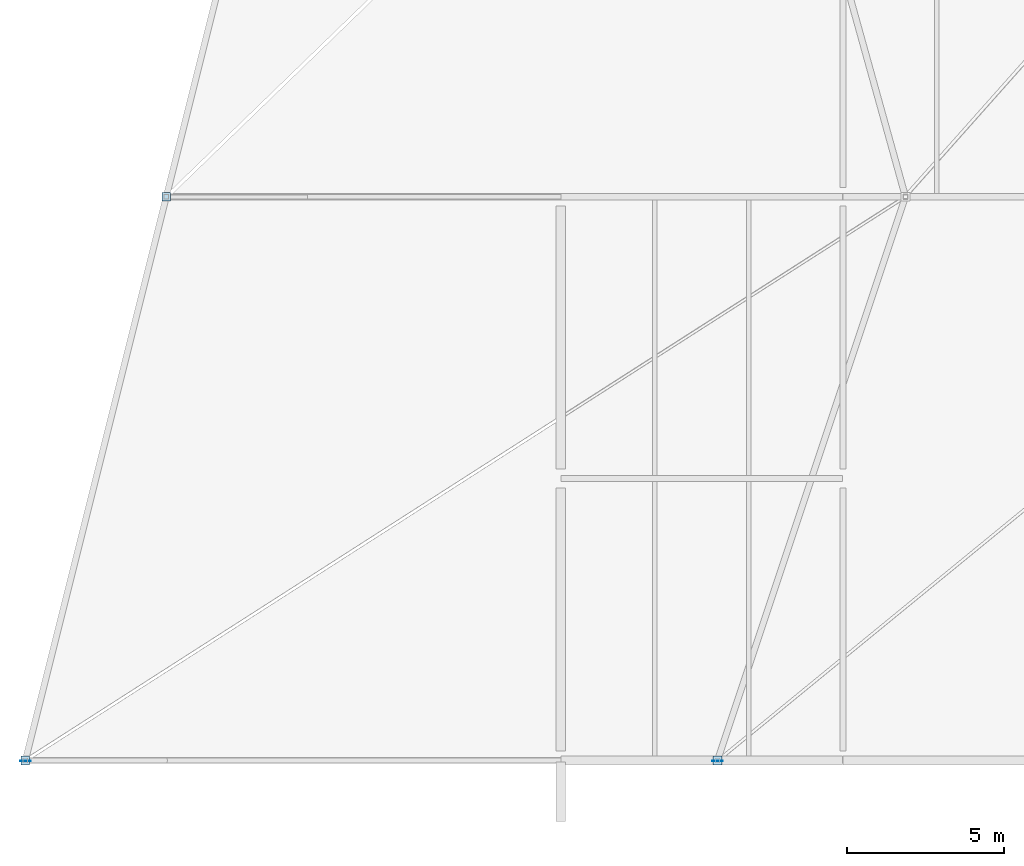
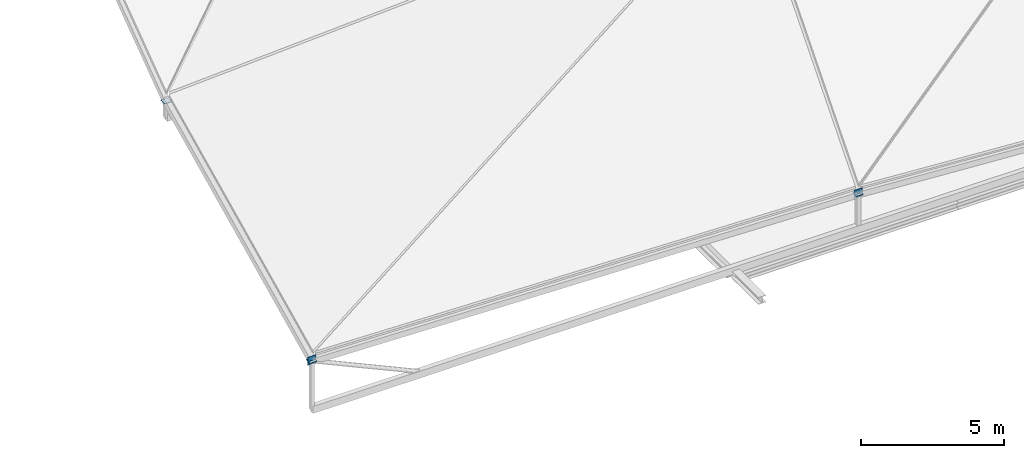
# One storey, part 15 of 18: 5 plates.
"""IFC4 building model written with IfcOpenShell, lengths in metres."""

import ifcopenshell
import ifcopenshell.guid

model = None  # the IFC model being written
_history = None  # IfcOwnerHistory: only IFC2X3 demands one
_inside = {}  # id of a spatial element -> (the spatial element, [elements in it])
_under = {}  # id of a project, library or spatial element -> (it, [spatial elements below it])
_declared = {}  # id of a project -> (the project, [libraries it declares])
_typed = {}  # id of a type object -> (the type object, [elements of that type])
_made_of = {}  # id of a material, layer set ... -> (it, [elements and type objects made of it])


def new_model(schema):
    """Start an empty IFC model of exactly this schema.

    Asked for "IFC4X3", IfcOpenShell would pick the latest addendum, in which some entities
    have other attributes; the version numbers below select the first issue.
    IFC2X3 requires an IfcOwnerHistory on every rooted entity: one is made here for all.
    """
    global model, _history
    if schema == "IFC4X3":
        model = ifcopenshell.file(schema_version=(4, 3, 0, 0))
    else:
        model = ifcopenshell.file(schema=schema)
    _inside.clear()
    _under.clear()
    _declared.clear()
    _typed.clear()
    _made_of.clear()
    _history = None
    if model.schema == "IFC2X3":
        org = make("IfcOrganization", Name="unknown")
        user = make(
            "IfcPersonAndOrganization",
            ThePerson=make("IfcPerson", FamilyName="unknown"),
            TheOrganization=org,
        )
        app = make(
            "IfcApplication",
            ApplicationDeveloper=org,
            Version="unknown",
            ApplicationFullName="unknown",
            ApplicationIdentifier="unknown",
        )
        _history = make(
            "IfcOwnerHistory",
            OwningUser=user,
            OwningApplication=app,
            ChangeAction="ADDED",
            CreationDate=0,
        )
    return model


def make(cls, **values):
    """One entity of the class cls with the attributes given. An attribute that is None is left unset."""
    return model.create_entity(
        cls, **{name: value for name, value in values.items() if value is not None}
    )


def rooted(cls, **values):
    """An entity with a GlobalId (a new one), such as an element, a storey or a relation."""
    return make(cls, GlobalId=ifcopenshell.guid.new(), OwnerHistory=_history, **values)


def si_unit(unit_type, name, prefix=None):
    """IfcSIUnit, for example si_unit("LENGTHUNIT", "METRE", prefix="MILLI")."""
    return make("IfcSIUnit", UnitType=unit_type, Prefix=prefix, Name=name)


def assignment(units):
    """IfcUnitAssignment: the units of a project."""
    return None if units is None else make("IfcUnitAssignment", Units=units)


def point(xyz):
    """IfcCartesianPoint."""
    return None if xyz is None else make("IfcCartesianPoint", Coordinates=xyz)


def direction(xyz):
    """IfcDirection."""
    return None if xyz is None else make("IfcDirection", DirectionRatios=xyz)


def frame(location, z_axis=None, x_axis=None):
    """IfcAxis2Placement3D, a coordinate frame: its origin and axes. An axis left out is left unset."""
    return make(
        "IfcAxis2Placement3D",
        Location=point(location),
        Axis=direction(z_axis),
        RefDirection=direction(x_axis),
    )


def frame_2d(location, x_axis=None):
    """IfcAxis2Placement2D, a coordinate frame in the plane: its origin and x axis."""
    return make(
        "IfcAxis2Placement2D", Location=point(location), RefDirection=direction(x_axis)
    )


def origin():
    """The frame at (0, 0, 0) with its axes left unset."""
    return frame((0.0, 0.0, 0.0))


def origin_2d():
    """The frame at (0, 0) in the plane with its x axis left unset."""
    return frame_2d((0.0, 0.0))


def place(relative_to, where):
    """IfcLocalPlacement: puts the frame where relative to a parent placement (None: the world)."""
    return make(
        "IfcLocalPlacement", PlacementRelTo=relative_to, RelativePlacement=where
    )


def context(
    kind, dimensions, precision=None, world=None, true_north=None, identifier=None
):
    """IfcGeometricRepresentationContext, for example the 3D "Model" context."""
    return make(
        "IfcGeometricRepresentationContext",
        ContextIdentifier=identifier,
        ContextType=kind,
        CoordinateSpaceDimension=dimensions,
        Precision=precision,
        WorldCoordinateSystem=world,
        TrueNorth=true_north,
    )


def subcontext(parent, identifier, kind, view, scale=None):
    """IfcGeometricRepresentationSubContext, for example "Body" below "Model"."""
    return make(
        "IfcGeometricRepresentationSubContext",
        ContextIdentifier=identifier,
        ContextType=kind,
        ParentContext=parent,
        TargetScale=scale,
        TargetView=view,
    )


def project(units=None, contexts=None):
    """IfcProject with its units and contexts."""
    return rooted(
        "IfcProject",
        Name="project",
        RepresentationContexts=contexts,
        UnitsInContext=assignment(units),
    )


def spatial(cls, under=None, at=None, **own):
    """A site, building, storey or space (cls), placed at a placement, below another one or the project."""
    s = rooted(cls, ObjectPlacement=at, **own)
    if under is not None:
        _under.setdefault(under.id(), (under, []))[1].append(s)
    return s


def profile(cls, at=None, kind="AREA", **sizes):
    """A parametric profile (cls). Its sizes go by their IFC names, for example OverallWidth=200.0."""
    return make(cls, ProfileType=kind, Position=at, **sizes)


def rectangle(**sizes):
    """IfcRectangleProfileDef."""
    return profile("IfcRectangleProfileDef", **sizes)


def extrude(swept, where, along, depth):
    """IfcExtrudedAreaSolid: the profile swept, set in the frame where, extruded along a direction by depth."""
    return make(
        "IfcExtrudedAreaSolid",
        SweptArea=swept,
        Position=where,
        ExtrudedDirection=direction(along),
        Depth=depth,
    )


def shape(context_of_items, identifier, shape_type, items):
    """IfcShapeRepresentation: the items that make up one representation, for example the "Body"."""
    return make(
        "IfcShapeRepresentation",
        ContextOfItems=context_of_items,
        RepresentationIdentifier=identifier,
        RepresentationType=shape_type,
        Items=items,
    )


def material(Name=None, Category=None):
    """IfcMaterial."""
    return make("IfcMaterial", Name=Name, Category=Category)


def layer(
    of_material, thickness, ventilated=None, Name=None, Category=None, Priority=None
):
    """IfcMaterialLayer: one layer of a wall or slab, of a material (None: an air gap)."""
    return make(
        "IfcMaterialLayer",
        Material=of_material,
        LayerThickness=thickness,
        IsVentilated=ventilated,
        Name=Name,
        Category=Category,
        Priority=Priority,
    )


def layer_set(layers, Name=None):
    """IfcMaterialLayerSet."""
    return make("IfcMaterialLayerSet", MaterialLayers=layers, LayerSetName=Name)


def made_of(thing, what):
    """Note that an element or type object is made of a material, layer set ...; save() writes the relation."""
    if what is not None:
        _made_of.setdefault(what.id(), (what, []))[1].append(thing)
    return thing


def type_object(cls, material=None, **own):
    """A type object (cls), such as IfcWallType, which elements share."""
    return made_of(rooted(cls, **own), material)


def element(
    cls,
    number,
    at=None,
    inside=None,
    cuts=None,
    type_object=None,
    material=None,
    context=None,
    identifier="Body",
    shape_type=None,
    held_by="IfcProductDefinitionShape",
    body=None,
    shapes=None,
    **own,
):
    """One element of the class cls, such as IfcWall. Its Tag is "e" and its number.

    at: its placement. inside: the storey or other place that contains it. cuts: it is an
    opening in that element (IfcRelVoidsElement). A single representation is given by context,
    identifier, shape_type and body (its items); several are given by shapes. held_by: the class
    of the entity that holds the representations. save() writes the other relations.
    """
    e = rooted(cls, Tag="e%d" % number, ObjectPlacement=at, **own)
    if body is not None:
        shapes = [shape(context, identifier, shape_type, body)]
    if shapes is not None:
        e.Representation = make(held_by, Representations=shapes)
    if inside is not None:
        _inside.setdefault(inside.id(), (inside, []))[1].append(e)
    if cuts is not None:
        rooted(
            "IfcRelVoidsElement", RelatingBuildingElement=cuts, RelatedOpeningElement=e
        )
    if type_object is not None:
        _typed.setdefault(type_object.id(), (type_object, []))[1].append(e)
    return made_of(e, material)


def aggregate(whole, parts):
    """IfcRelAggregates: a whole, such as a stair, and the parts it consists of."""
    return rooted("IfcRelAggregates", RelatingObject=whole, RelatedObjects=parts)


def save(model, path):
    """Write the relations noted so far, then the file.

    IfcRelAggregates (storeys below a building ...), IfcRelContainedInSpatialStructure (elements
    in a storey), IfcRelDefinesByType, IfcRelAssociatesMaterial and IfcRelDeclares: one each for
    every whole, place, type object, material and project.
    """
    for whole, parts in _under.values():
        aggregate(whole, parts)
    for where, things in _inside.values():
        rooted(
            "IfcRelContainedInSpatialStructure",
            RelatedElements=things,
            RelatingStructure=where,
        )
    for kind, things in _typed.values():
        rooted("IfcRelDefinesByType", RelatedObjects=things, RelatingType=kind)
    for what, things in _made_of.values():
        rooted("IfcRelAssociatesMaterial", RelatedObjects=things, RelatingMaterial=what)
    for by, libraries in _declared.values():
        rooted("IfcRelDeclares", RelatingContext=by, RelatedDefinitions=libraries)
    model.write(path)


model = new_model("IFC4")

# Units and contexts
model_context = context("Model", 3, precision=1e-05, world=origin(), true_north=direction((0.0, 1.0)))
body_context = subcontext(model_context, "Body", "Model", "MODEL_VIEW")
ifc_project = project(units=[si_unit("LENGTHUNIT", "METRE"), si_unit("AREAUNIT", "SQUARE_METRE"), si_unit("VOLUMEUNIT", "CUBIC_METRE"), si_unit("PLANEANGLEUNIT", "RADIAN"), si_unit("MASSUNIT", "GRAM", prefix="KILO")], contexts=[model_context])

# Site, building, storey
site_placement = place(None, origin())
site = spatial("IfcSite", under=ifc_project, at=site_placement, CompositionType="ELEMENT")
building_placement = place(site_placement, origin())
building = spatial("IfcBuilding", under=site, at=building_placement, Name="Deido Ridge Mobility Hub", CompositionType="ELEMENT")
storey_placement = place(building_placement, frame((0.0, 0.0, 29.39990234375)))
storey = spatial("IfcBuildingStorey", under=building, at=storey_placement, Name="RF", CompositionType="ELEMENT", Elevation=29.39990234375)

# Plates
ifc_material = material(Name="Steel S355J2 EN 10025-2", Category="steel")
ifc_layer = layer(ifc_material, 0.02197265625, Name="Steel S355J2 EN 10025-2")
ifc_layer_set = layer_set([ifc_layer], Name="Steel S355J2 EN 10025-2")
plate_type = type_object("IfcPlateType", Name="PLT-CAP-22", PredefinedType="USERDEFINED", material=ifc_layer_set)
for number, where, z_axis, x_axis, name in (
    (1, (135.89990234375, 0.0, 2.05419921875), (0.0, 0.0, 1.0), (1.0, 0.0, 0.0), "Hollow member sealed end-cap plate EC2-248"),
    (2, (158.0, 0.0, 1.4541015625), (0.0, 0.0, 1.0), (1.0, 0.0, 0.0), "Hollow member sealed end-cap plate EC2-249"),
    (3, (140.39990234375, 18.0, 0.654052734375), (0.0, 0.0, 1.0), (1.0, 0.0, 0.0), "Hollow member sealed end-cap plate EC2-250"),
):
    element("IfcPlate", number, at=place(storey_placement, frame(where, z_axis=z_axis, x_axis=x_axis)), inside=storey, type_object=plate_type, Name=name, ObjectType="END CAP PLATE", PredefinedType="USERDEFINED", context=body_context, shape_type="SweptSolid", body=[
        extrude(rectangle(XDim=0.280029296875, YDim=0.280029296875, at=origin_2d()), origin(), (0.0, 0.0, 1.0), 0.02197265625),
    ])
for number, where, z_axis, x_axis, name in (
    (4, (135.89990234375, -0.011962890625, 1.919921875), (0.0, 0.0, 1.0), (1.0, 0.0, 0.0), "Hollow member sealed end-cap plate EC2-256"),
    (5, (158.0, -0.011962890625, 1.31982421875), (0.0, 0.0, 1.0), (1.0, 0.0, 0.0), "Hollow member sealed end-cap plate EC2-257"),
):
    element("IfcPlate", number, at=place(storey_placement, frame(where, z_axis=z_axis, x_axis=x_axis)), inside=storey, type_object=plate_type, Name=name, ObjectType="END CAP PLATE", PredefinedType="USERDEFINED", context=body_context, shape_type="SweptSolid", body=[
        extrude(rectangle(XDim=0.340087890625, YDim=0.02197265625, at=origin_2d()), origin(), (0.0, 0.0, 1.0), 0.340087890625),
    ])

save(model, "model.ifc")
